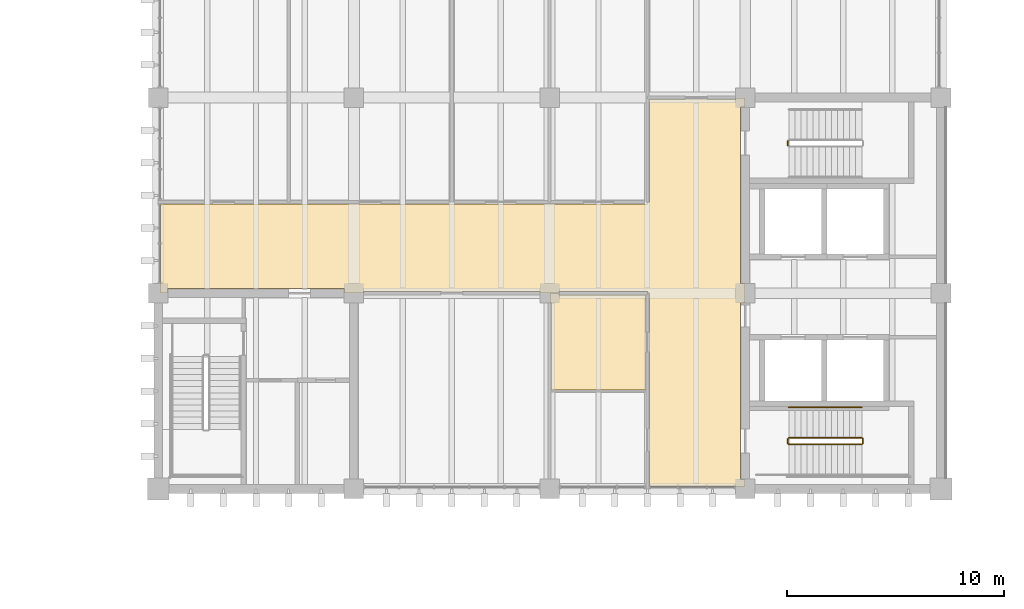
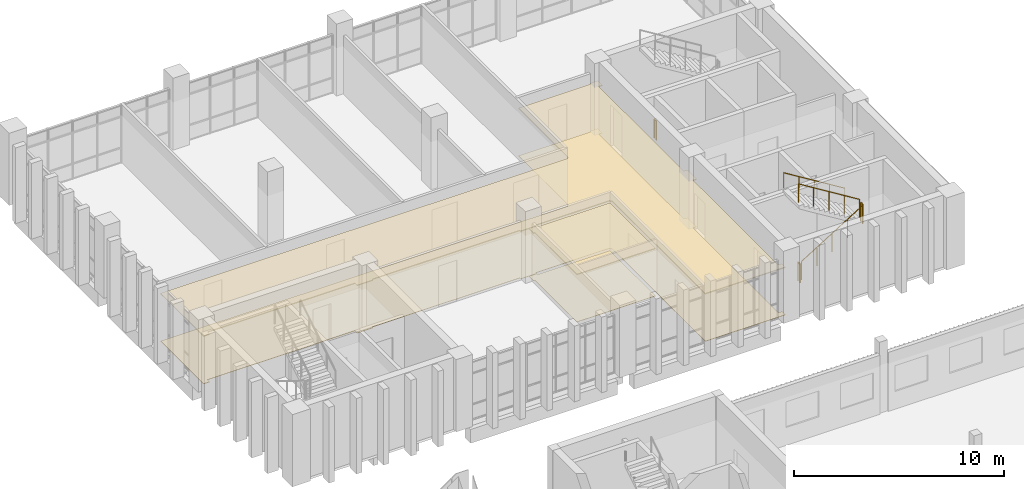
# One storey, part 85 of 88: 6 railings, 4 coverings.
"""IFC4 building model written with IfcOpenShell, lengths in metres."""

from ifc_helpers import new_model, si_unit, direction, frame, origin, origin_2d, place, context, subcontext, project, spatial, polyline, circle, outline, extrude, material, layer, layer_set, type_object, element, save


model = new_model("IFC4")

# Units and contexts
model_context = context("Model", 3, precision=1e-05, world=origin(), true_north=direction((0.0, 1.0)))
body_context = subcontext(model_context, "Body", "Model", "MODEL_VIEW")
ifc_project = project(units=[si_unit("LENGTHUNIT", "METRE"), si_unit("AREAUNIT", "SQUARE_METRE"), si_unit("VOLUMEUNIT", "CUBIC_METRE"), si_unit("PLANEANGLEUNIT", "RADIAN"), si_unit("MASSUNIT", "GRAM", prefix="KILO")], contexts=[model_context])

# Site, building, storey
site_placement = place(None, origin())
site = spatial("IfcSite", under=ifc_project, at=site_placement, CompositionType="ELEMENT")
building_placement = place(site_placement, origin())
building = spatial("IfcBuilding", under=site, at=building_placement, Name="Merrow Basin Faculty of Sciences", CompositionType="ELEMENT")
storey_placement = place(building_placement, frame((0.0, 0.0, 9.0)))
storey = spatial("IfcBuildingStorey", under=building, at=storey_placement, Name="L02", CompositionType="ELEMENT", Elevation=9.0)

# Coverings
ifc_material_1 = material(Name="Ceramic floor tile")
ifc_layer_1 = layer(ifc_material_1, 0.02001953125)
ifc_layer_set_1 = layer_set([ifc_layer_1], Name="Ceramic floor tile")
covering_type_1 = type_object("IfcCoveringType", Name="Ceramic floor tile", PredefinedType="FLOORING", material=ifc_layer_set_1)
covering_1_placement = place(storey_placement, origin())
element("IfcCovering", 1, at=covering_1_placement, inside=storey, type_object=covering_type_1, Name="Floor finish L02-T-013", PredefinedType="FLOORING", context=body_context, shape_type="SweptSolid", body=[
    extrude(outline(polyline([(36.010009765625, 150.989990234375), (36.43994140625, 150.989990234375), (36.43994140625, 150.9150390625), (40.4150390625, 150.9150390625), (40.4150390625, 146.56005859375), (36.0849609375, 146.56005859375), (36.0849609375, 150.56005859375), (36.010009765625, 150.56005859375), (36.010009765625, 150.989990234375)])), origin(), (0.0, 0.0, 1.0), 0.02001953125),
])
ifc_material_2 = material(Name="Polished terrazzo floor")
ifc_layer_2 = layer(ifc_material_2, 0.02001953125)
ifc_layer_set_2 = layer_set([ifc_layer_2], Name="Polished terrazzo floor")
covering_type_2 = type_object("IfcCoveringType", Name="Polished terrazzo floor", PredefinedType="FLOORING", material=ifc_layer_set_2)
covering_2_placement = place(storey_placement, origin())
element("IfcCovering", 2, at=covering_2_placement, inside=storey, type_object=covering_type_2, Name="Floor finish L02-T-020", PredefinedType="FLOORING", context=body_context, shape_type="SweptSolid", body=[
    extrude(outline(polyline([(44.989990234375, 159.56005859375), (44.7900390625, 159.56005859375), (44.7900390625, 151.43994140625), (44.989990234375, 151.43994140625), (44.989990234375, 150.56005859375), (44.7900390625, 150.56005859375), (44.7900390625, 142.43994140625), (44.989990234375, 142.43994140625), (44.989990234375, 142.110107421875), (40.5849609375, 142.110107421875), (40.5849609375, 151.010009765625), (40.510009765625, 151.010009765625), (40.510009765625, 151.0849609375), (36.43994140625, 151.0849609375), (36.43994140625, 151.010009765625), (35.56005859375, 151.010009765625), (35.56005859375, 151.0849609375), (27.43994140625, 151.0849609375), (27.43994140625, 151.010009765625), (26.56005859375, 151.010009765625), (26.56005859375, 151.2099609375), (18.43994140625, 151.2099609375), (18.43994140625, 151.010009765625), (18.110107421875, 151.010009765625), (18.110107421875, 155.114990234375), (40.510009765625, 155.114990234375), (40.510009765625, 155.18994140625), (40.5849609375, 155.18994140625), (40.5849609375, 159.9150390625), (44.56005859375, 159.9150390625), (44.56005859375, 159.989990234375), (44.989990234375, 159.989990234375), (44.989990234375, 159.56005859375)])), origin(), (0.0, 0.0, 1.0), 0.02001953125),
])

# Railings
ifc_material_3 = material(Name="Steel ASTM A36", Category="steel")
railing_type_1 = type_object("IfcRailingType", Name="Steel guard 1100", PredefinedType="GUARDRAIL", material=ifc_material_3)
railing_1_placement = place(storey_placement, frame((46.949951171875, 157.800048828125, 0.0)))
element("IfcRailing", 3, at=railing_1_placement, inside=storey, type_object=railing_type_1, Name="L02 ST-V5-S stair guard 4", PredefinedType="GUARDRAIL", context=body_context, shape_type="SweptSolid", body=[
    extrude(circle(Radius=0.02392578125, at=origin_2d()), frame((0.0, 0.0, 1.076171875), z_axis=(0.0, 1.0, 0.0), x_axis=(-1.0, 0.0, 0.0)), (0.0, 0.0, 1.0), 0.199951171875),
    extrude(circle(Radius=0.02099609375, at=origin_2d()), origin(), (0.0, 0.0, 1.0), 1.052001953125),
    extrude(circle(Radius=0.02099609375, at=origin_2d()), frame((0.0, 0.199951171875, 0.0)), (0.0, 0.0, 1.0), 1.052001953125),
])
railing_2_placement = place(storey_placement, frame((47.0, 144.050048828125, 0.173095703125)))
element("IfcRailing", 4, at=railing_2_placement, inside=storey, type_object=railing_type_1, Name="L02 ST-V5-N stair guard 1", PredefinedType="GUARDRAIL", context=body_context, shape_type="SweptSolid", body=[
    extrude(circle(Radius=0.02392578125, at=origin_2d()), frame((0.0, 0.0, 1.076171875), z_axis=(0.850623216509, 0.0, 0.525775754039), x_axis=(0.0, 1.0, 0.0)), (0.0, 0.0, 1.0), 3.9501953125),
    extrude(circle(Radius=0.02099609375, at=origin_2d()), origin(), (0.0, 0.0, 1.0), 1.052001953125),
    extrude(circle(Radius=0.02099609375, at=origin_2d()), frame((0.840087890625, 0.0, 0.519287109375)), (0.0, 0.0, 1.0), 1.052001953125),
    extrude(circle(Radius=0.02099609375, at=origin_2d()), frame((1.68017578125, 0.0, 1.03857421875)), (0.0, 0.0, 1.0), 1.052001953125),
    extrude(circle(Radius=0.02099609375, at=origin_2d()), frame((2.52001953125, 0.0, 1.5576171875)), (0.0, 0.0, 1.0), 1.052001953125),
    extrude(circle(Radius=0.02099609375, at=origin_2d()), frame((3.360107421875, 0.0, 2.076904296875)), (0.0, 0.0, 1.0), 1.052001953125),
])
railing_3_placement = place(storey_placement, frame((50.409912109375, 144.10009765625, 2.25)))
element("IfcRailing", 5, at=railing_3_placement, inside=storey, type_object=railing_type_1, Name="L02 ST-V5-N stair guard 2", PredefinedType="GUARDRAIL", context=body_context, shape_type="SweptSolid", body=[
    extrude(circle(Radius=0.02392578125, at=origin_2d()), frame((0.0, 0.0, 1.076171875), z_axis=(0.0, 1.0, 0.0), x_axis=(-1.0, 0.0, 0.0)), (0.0, 0.0, 1.0), 0.199951171875),
    extrude(circle(Radius=0.02099609375, at=origin_2d()), origin(), (0.0, 0.0, 1.0), 1.052001953125),
    extrude(circle(Radius=0.02099609375, at=origin_2d()), frame((0.0, 0.199951171875, 0.0)), (0.0, 0.0, 1.0), 1.052001953125),
])
railing_4_placement = place(storey_placement, frame((50.360107421875, 144.35009765625, 2.423095703125)))
element("IfcRailing", 6, at=railing_4_placement, inside=storey, type_object=railing_type_1, Name="L02 ST-V5-N stair guard 4", PredefinedType="GUARDRAIL", context=body_context, shape_type="SweptSolid", body=[
    extrude(circle(Radius=0.02392578125, at=origin_2d()), frame((0.0, 0.0, 1.076171875), z_axis=(-0.850623216509, 0.0, 0.525775754039), x_axis=(0.0, -1.0, 0.0)), (0.0, 0.0, 1.0), 3.9501953125),
    extrude(circle(Radius=0.02099609375, at=origin_2d()), origin(), (0.0, 0.0, 1.0), 1.052001953125),
    extrude(circle(Radius=0.02099609375, at=origin_2d()), frame((-0.840087890625, 0.0, 0.519287109375)), (0.0, 0.0, 1.0), 1.052001953125),
    extrude(circle(Radius=0.02099609375, at=origin_2d()), frame((-1.68017578125, 0.0, 1.03857421875)), (0.0, 0.0, 1.0), 1.052001953125),
    extrude(circle(Radius=0.02099609375, at=origin_2d()), frame((-2.52001953125, 0.0, 1.5576171875)), (0.0, 0.0, 1.0), 1.052001953125),
    extrude(circle(Radius=0.02099609375, at=origin_2d()), frame((-3.360107421875, 0.0, 2.076904296875)), (0.0, 0.0, 1.0), 1.052001953125),
])
railing_5_placement = place(storey_placement, frame((46.949951171875, 144.10009765625, 0.0)))
element("IfcRailing", 7, at=railing_5_placement, inside=storey, type_object=railing_type_1, Name="L02 ST-V5-N stair guard 5", PredefinedType="GUARDRAIL", context=body_context, shape_type="SweptSolid", body=[
    extrude(circle(Radius=0.02392578125, at=origin_2d()), frame((0.0, 0.0, 1.076171875), z_axis=(0.0, 1.0, 0.0), x_axis=(-1.0, 0.0, 0.0)), (0.0, 0.0, 1.0), 0.199951171875),
    extrude(circle(Radius=0.02099609375, at=origin_2d()), origin(), (0.0, 0.0, 1.0), 1.052001953125),
    extrude(circle(Radius=0.02099609375, at=origin_2d()), frame((0.0, 0.199951171875, 0.0)), (0.0, 0.0, 1.0), 1.052001953125),
])
ifc_material_4 = material(Name="Steel ASTM A36", Category="steel")
railing_type_2 = type_object("IfcRailingType", Name="Steel handrail 900", PredefinedType="HANDRAIL", material=ifc_material_4)
railing_6_placement = place(storey_placement, frame((50.360107421875, 145.75, 2.423095703125)))
element("IfcRailing", 8, at=railing_6_placement, inside=storey, type_object=railing_type_2, Name="L02 ST-V5-N stair handrail 2", PredefinedType="HANDRAIL", context=body_context, shape_type="SweptSolid", body=[
    extrude(circle(Radius=0.02392578125, at=origin_2d()), frame((0.0, 0.0, 0.8759765625), z_axis=(-0.850623216509, 0.0, 0.525775754039), x_axis=(0.0, -1.0, 0.0)), (0.0, 0.0, 1.0), 3.9501953125),
    extrude(circle(Radius=0.02099609375, at=origin_2d()), origin(), (0.0, 0.0, 1.0), 0.851806640625),
    extrude(circle(Radius=0.02099609375, at=origin_2d()), frame((-0.840087890625, 0.0, 0.519287109375)), (0.0, 0.0, 1.0), 0.851806640625),
    extrude(circle(Radius=0.02099609375, at=origin_2d()), frame((-1.68017578125, 0.0, 1.03857421875)), (0.0, 0.0, 1.0), 0.851806640625),
    extrude(circle(Radius=0.02099609375, at=origin_2d()), frame((-2.52001953125, 0.0, 1.5576171875)), (0.0, 0.0, 1.0), 0.851806640625),
    extrude(circle(Radius=0.02099609375, at=origin_2d()), frame((-3.360107421875, 0.0, 2.076904296875)), (0.0, 0.0, 1.0), 0.851806640625),
])

# Coverings
ifc_material_5 = material(Name="Mineral fibre ceiling tile")
ifc_layer_3 = layer(ifc_material_5, 0.050048828125)
ifc_layer_set_3 = layer_set([ifc_layer_3], Name="Suspended acoustic ceiling tile")
covering_type_3 = type_object("IfcCoveringType", Name="Suspended acoustic ceiling tile", PredefinedType="CEILING", material=ifc_layer_set_3)
covering_3_placement = place(storey_placement, frame((0.0, 0.0, 2.75)))
element("IfcCovering", 9, at=covering_3_placement, inside=storey, type_object=covering_type_3, Name="Ceiling L02-T-013", PredefinedType="CEILING", context=body_context, shape_type="SweptSolid", body=[
    extrude(outline(polyline([(36.010009765625, 150.989990234375), (36.43994140625, 150.989990234375), (36.43994140625, 150.9150390625), (40.4150390625, 150.9150390625), (40.4150390625, 146.56005859375), (36.0849609375, 146.56005859375), (36.0849609375, 150.56005859375), (36.010009765625, 150.56005859375), (36.010009765625, 150.989990234375)])), origin(), (0.0, 0.0, 1.0), 0.050048828125),
])
covering_4_placement = place(storey_placement, frame((0.0, 0.0, 2.75)))
element("IfcCovering", 10, at=covering_4_placement, inside=storey, type_object=covering_type_3, Name="Ceiling L02-T-020", PredefinedType="CEILING", context=body_context, shape_type="SweptSolid", body=[
    extrude(outline(polyline([(44.989990234375, 159.56005859375), (44.7900390625, 159.56005859375), (44.7900390625, 151.43994140625), (44.989990234375, 151.43994140625), (44.989990234375, 150.56005859375), (44.7900390625, 150.56005859375), (44.7900390625, 142.43994140625), (44.989990234375, 142.43994140625), (44.989990234375, 142.110107421875), (40.5849609375, 142.110107421875), (40.5849609375, 151.010009765625), (40.510009765625, 151.010009765625), (40.510009765625, 151.0849609375), (36.43994140625, 151.0849609375), (36.43994140625, 151.010009765625), (35.56005859375, 151.010009765625), (35.56005859375, 151.0849609375), (27.43994140625, 151.0849609375), (27.43994140625, 151.010009765625), (26.56005859375, 151.010009765625), (26.56005859375, 151.2099609375), (18.43994140625, 151.2099609375), (18.43994140625, 151.010009765625), (18.110107421875, 151.010009765625), (18.110107421875, 155.114990234375), (40.510009765625, 155.114990234375), (40.510009765625, 155.18994140625), (40.5849609375, 155.18994140625), (40.5849609375, 159.9150390625), (44.56005859375, 159.9150390625), (44.56005859375, 159.989990234375), (44.989990234375, 159.989990234375), (44.989990234375, 159.56005859375)])), origin(), (0.0, 0.0, 1.0), 0.050048828125),
])

save(model, "model.ifc")
